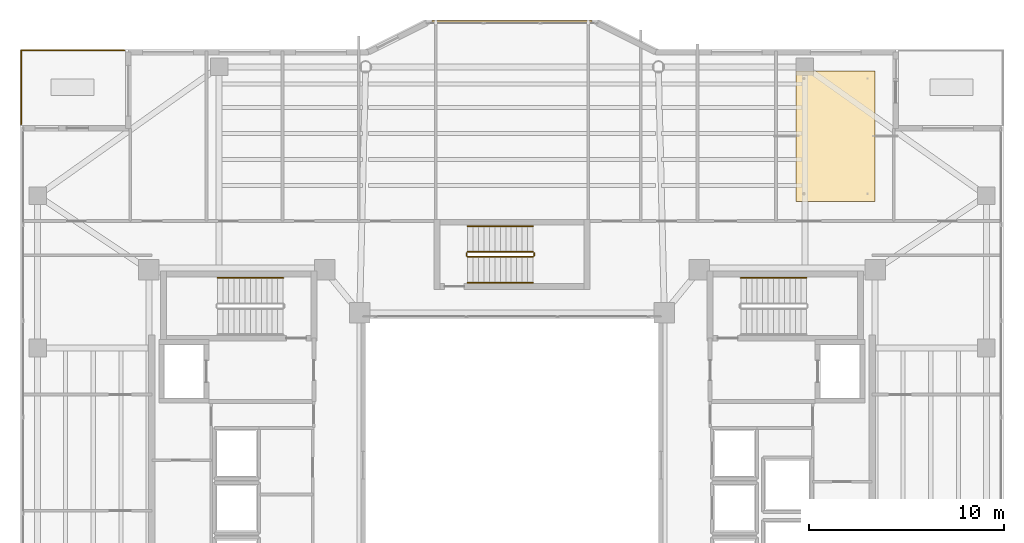
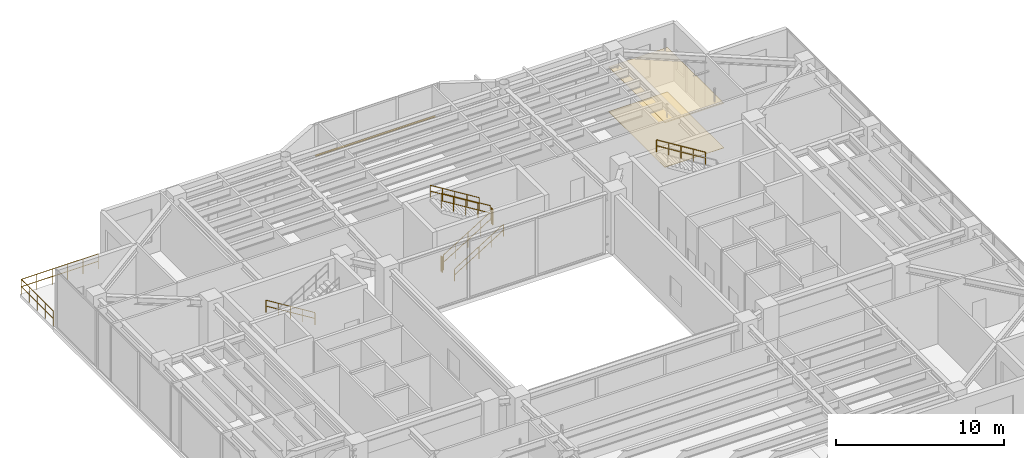
# One storey, part 32 of 33: 10 railings, 2 coverings, 1 shading device.
"""IFC4 building model written with IfcOpenShell, lengths in metres."""

from ifc_helpers import new_model, si_unit, direction, frame, origin, origin_2d, place, context, subcontext, project, spatial, polyline, rectangle, circle, outline, extrude, material, layer, layer_set, material_profile, profile_set, type_object, element, save


model = new_model("IFC4")

# Units and contexts
model_context = context("Model", 3, precision=1e-05, world=origin(), true_north=direction((0.0, 1.0)))
body_context = subcontext(model_context, "Body", "Model", "MODEL_VIEW")
ifc_project = project(units=[si_unit("LENGTHUNIT", "METRE"), si_unit("AREAUNIT", "SQUARE_METRE"), si_unit("VOLUMEUNIT", "CUBIC_METRE"), si_unit("PLANEANGLEUNIT", "RADIAN"), si_unit("MASSUNIT", "GRAM", prefix="KILO")], contexts=[model_context])

# Site, building, storey
site_placement = place(None, origin())
site = spatial("IfcSite", under=ifc_project, at=site_placement, CompositionType="ELEMENT")
building_placement = place(site_placement, origin())
building = spatial("IfcBuilding", under=site, at=building_placement, Name="Tarnavaz Court Tower", CompositionType="ELEMENT")
storey_placement = place(building_placement, frame((0.0, 0.0, 172.800048828125)))
storey = spatial("IfcBuildingStorey", under=building, at=storey_placement, Name="L47", CompositionType="ELEMENT", Elevation=172.800048828125)

# Coverings
ifc_material_1 = material(Name="Perforated Gypsum Acoustic Ceiling Tile", Category="masonry")
ifc_layer_1 = layer(ifc_material_1, 0.02490234375)
ifc_layer_set_1 = layer_set([ifc_layer_1], Name="Perforated Gypsum Acoustic Ceiling Tile")
covering_type_1 = type_object("IfcCoveringType", Name="CV-CEIL-AC", PredefinedType="CEILING", material=ifc_layer_set_1)
covering_1_placement = place(storey_placement, frame((0.0, 0.0, 3.22998046875)))
element("IfcCovering", 1, at=covering_1_placement, inside=storey, type_object=covering_type_1, Name="L47 L47 Fitness Studio Suspended Acoustic Ceiling", PredefinedType="CEILING", context=body_context, shape_type="SweptSolid", body=[
    extrude(outline(polyline([(14.550048828125, 13.5), (18.60009765625, 13.5), (18.60009765625, 20.199951171875), (14.550048828125, 20.199951171875), (14.550048828125, 13.5)])), origin(), (0.0, 0.0, 1.0), 0.02490234375),
])
ifc_material_2 = material(Name="Glazed Khorasan Porcelain Floor Tile", Category="masonry")
ifc_layer_2 = layer(ifc_material_2, 0.02001953125)
ifc_layer_set_2 = layer_set([ifc_layer_2], Name="Glazed Khorasan Porcelain Floor Tile")
covering_type_2 = type_object("IfcCoveringType", Name="CV-FLR-PORC", PredefinedType="FLOORING", material=ifc_layer_set_2)
covering_2_placement = place(storey_placement, origin())
element("IfcCovering", 2, at=covering_2_placement, inside=storey, type_object=covering_type_2, Name="L47 L47 Fitness Studio Porcelain Floor Finish", PredefinedType="FLOORING", context=body_context, shape_type="SweptSolid", body=[
    extrude(outline(polyline([(14.550048828125, 13.5), (18.60009765625, 13.5), (18.60009765625, 20.199951171875), (14.550048828125, 20.199951171875), (14.550048828125, 13.5)])), origin(), (0.0, 0.0, 1.0), 0.02001953125),
])

# Railings
ifc_material_3 = material(Name="Anodised Aluminium 6063-T6 and Laminated Safety Glass", Category="aluminium")
railing_type_1 = type_object("IfcRailingType", Name="RL-BAL-1120", PredefinedType="BALUSTRADE", material=ifc_material_3)
railing_1_placement = place(storey_placement, frame((-19.860107421875, 21.239990234375, 0.0)))
element("IfcRailing", 3, at=railing_1_placement, inside=storey, type_object=railing_type_1, Name="L47 Terrace 2 N Perimeter Balustrade", PredefinedType="BALUSTRADE", context=body_context, shape_type="SweptSolid", body=[
    extrude(circle(Radius=0.02392578125, at=origin_2d()), frame((0.0, 0.0, 1.09619140625), z_axis=(-1.0, 0.0, 0.0), x_axis=(0.0, -1.0, 0.0)), (0.0, 0.0, 1.0), 5.27978515625),
    extrude(circle(Radius=0.02392578125, at=origin_2d()), frame((0.0, 0.0, 0.56005859375), z_axis=(-1.0, 0.0, 0.0), x_axis=(0.0, -1.0, 0.0)), (0.0, 0.0, 1.0), 5.27978515625),
    extrude(circle(Radius=0.02099609375, at=origin_2d()), origin(), (0.0, 0.0, 1.0), 1.072021484375),
    extrude(circle(Radius=0.02099609375, at=origin_2d()), frame((-1.055908203125, 0.0, 0.0)), (0.0, 0.0, 1.0), 1.072021484375),
    extrude(circle(Radius=0.02099609375, at=origin_2d()), frame((-2.11181640625, 0.0, 0.0)), (0.0, 0.0, 1.0), 1.072021484375),
    extrude(circle(Radius=0.02099609375, at=origin_2d()), frame((-3.16796875, 0.0, 0.0)), (0.0, 0.0, 1.0), 1.072021484375),
    extrude(circle(Radius=0.02099609375, at=origin_2d()), frame((-4.223876953125, 0.0, 0.0)), (0.0, 0.0, 1.0), 1.072021484375),
    extrude(circle(Radius=0.02099609375, at=origin_2d()), frame((-5.27978515625, 0.0, 0.0)), (0.0, 0.0, 1.0), 1.072021484375),
])
railing_2_placement = place(storey_placement, frame((-25.139892578125, 21.239990234375, 0.0)))
element("IfcRailing", 4, at=railing_2_placement, inside=storey, type_object=railing_type_1, Name="L47 Terrace 2 W Perimeter Balustrade", PredefinedType="BALUSTRADE", context=body_context, shape_type="SweptSolid", body=[
    extrude(circle(Radius=0.02392578125, at=origin_2d()), frame((0.0, 0.0, 1.09619140625), z_axis=(0.0, -1.0, 0.0), x_axis=(1.0, 0.0, 0.0)), (0.0, 0.0, 1.0), 3.780029296875),
    extrude(circle(Radius=0.02392578125, at=origin_2d()), frame((0.0, 0.0, 0.56005859375), z_axis=(0.0, -1.0, 0.0), x_axis=(1.0, 0.0, 0.0)), (0.0, 0.0, 1.0), 3.780029296875),
    extrude(circle(Radius=0.02099609375, at=origin_2d()), origin(), (0.0, 0.0, 1.0), 1.072021484375),
    extrude(circle(Radius=0.02099609375, at=origin_2d()), frame((0.0, -0.945068359375, 0.0)), (0.0, 0.0, 1.0), 1.072021484375),
    extrude(circle(Radius=0.02099609375, at=origin_2d()), frame((0.0, -1.89013671875, 0.0)), (0.0, 0.0, 1.0), 1.072021484375),
    extrude(circle(Radius=0.02099609375, at=origin_2d()), frame((0.0, -2.8349609375, 0.0)), (0.0, 0.0, 1.0), 1.072021484375),
    extrude(circle(Radius=0.02099609375, at=origin_2d()), frame((0.0, -3.780029296875, 0.0)), (0.0, 0.0, 1.0), 1.072021484375),
])
ifc_material_4 = material(Name="Brushed Stainless Steel", Category="steel")
railing_type_2 = type_object("IfcRailingType", Name="RL-HANDRAIL-900", PredefinedType="HANDRAIL", material=ifc_material_4)
for number, where, name in (
    (5, (-11.719970703125, 9.590087890625, 0.173095703125), "L47 ST-W1 stair handrail 1"),
    (6, (15.080078125, 9.590087890625, 2.423095703125), "L47 ST-E1 stair handrail 2"),
):
    element("IfcRailing", number, at=place(storey_placement, frame(where)), inside=storey, type_object=railing_type_2, Name=name, PredefinedType="HANDRAIL", context=body_context, shape_type="SweptSolid", body=[
        extrude(circle(Radius=0.02392578125, at=origin_2d()), frame((0.0, 0.0, 0.8759765625), z_axis=(-0.850623216509, 0.0, 0.525775754039), x_axis=(0.0, -1.0, 0.0)), (0.0, 0.0, 1.0), 3.9501953125),
        extrude(circle(Radius=0.02392578125, at=origin_2d()), frame((0.0, 0.0, 0.449951171875), z_axis=(-0.850623216509, 0.0, 0.525775754039), x_axis=(0.0, -1.0, 0.0)), (0.0, 0.0, 1.0), 3.9501953125),
        extrude(circle(Radius=0.02099609375, at=origin_2d()), origin(), (0.0, 0.0, 1.0), 0.851806640625),
        extrude(circle(Radius=0.02099609375, at=origin_2d()), frame((-0.840087890625, 0.0, 0.519287109375)), (0.0, 0.0, 1.0), 0.851806640625),
        extrude(circle(Radius=0.02099609375, at=origin_2d()), frame((-1.68017578125, 0.0, 1.03857421875)), (0.0, 0.0, 1.0), 0.851806640625),
        extrude(circle(Radius=0.02099609375, at=origin_2d()), frame((-2.52001953125, 0.0, 1.5576171875)), (0.0, 0.0, 1.0), 0.851806640625),
        extrude(circle(Radius=0.02099609375, at=origin_2d()), frame((-3.360107421875, 0.0, 2.076904296875)), (0.0, 0.0, 1.0), 0.851806640625),
    ])
railing_3_placement = place(storey_placement, frame((-2.280029296875, 9.35009765625, 0.173095703125)))
element("IfcRailing", 7, at=railing_3_placement, inside=storey, type_object=railing_type_2, Name="L47 ST-N1 stair handrail 1", PredefinedType="HANDRAIL", context=body_context, shape_type="SweptSolid", body=[
    extrude(circle(Radius=0.02392578125, at=origin_2d()), frame((0.0, 0.0, 0.8759765625), z_axis=(0.850623216509, 0.0, 0.525775754039), x_axis=(0.0, 1.0, 0.0)), (0.0, 0.0, 1.0), 3.9501953125),
    extrude(circle(Radius=0.02392578125, at=origin_2d()), frame((0.0, 0.0, 0.449951171875), z_axis=(0.850623216509, 0.0, 0.525775754039), x_axis=(0.0, 1.0, 0.0)), (0.0, 0.0, 1.0), 3.9501953125),
    extrude(circle(Radius=0.02099609375, at=origin_2d()), origin(), (0.0, 0.0, 1.0), 0.851806640625),
    extrude(circle(Radius=0.02099609375, at=origin_2d()), frame((0.840087890625, 0.0, 0.519287109375)), (0.0, 0.0, 1.0), 0.851806640625),
    extrude(circle(Radius=0.02099609375, at=origin_2d()), frame((1.68017578125, 0.0, 1.03857421875)), (0.0, 0.0, 1.0), 0.851806640625),
    extrude(circle(Radius=0.02099609375, at=origin_2d()), frame((2.52001953125, 0.0, 1.5576171875)), (0.0, 0.0, 1.0), 0.851806640625),
    extrude(circle(Radius=0.02099609375, at=origin_2d()), frame((3.360107421875, 0.0, 2.076904296875)), (0.0, 0.0, 1.0), 0.851806640625),
])
railing_4_placement = place(storey_placement, frame((1.080078125, 12.239990234375, 2.423095703125)))
element("IfcRailing", 8, at=railing_4_placement, inside=storey, type_object=railing_type_2, Name="L47 ST-N1 stair handrail 2", PredefinedType="HANDRAIL", context=body_context, shape_type="SweptSolid", body=[
    extrude(circle(Radius=0.02392578125, at=origin_2d()), frame((0.0, 0.0, 0.8759765625), z_axis=(-0.850623216509, 0.0, 0.525775754039), x_axis=(0.0, -1.0, 0.0)), (0.0, 0.0, 1.0), 3.9501953125),
    extrude(circle(Radius=0.02392578125, at=origin_2d()), frame((0.0, 0.0, 0.449951171875), z_axis=(-0.850623216509, 0.0, 0.525775754039), x_axis=(0.0, -1.0, 0.0)), (0.0, 0.0, 1.0), 3.9501953125),
    extrude(circle(Radius=0.02099609375, at=origin_2d()), origin(), (0.0, 0.0, 1.0), 0.851806640625),
    extrude(circle(Radius=0.02099609375, at=origin_2d()), frame((-0.840087890625, 0.0, 0.519287109375)), (0.0, 0.0, 1.0), 0.851806640625),
    extrude(circle(Radius=0.02099609375, at=origin_2d()), frame((-1.68017578125, 0.0, 1.03857421875)), (0.0, 0.0, 1.0), 0.851806640625),
    extrude(circle(Radius=0.02099609375, at=origin_2d()), frame((-2.52001953125, 0.0, 1.5576171875)), (0.0, 0.0, 1.0), 0.851806640625),
    extrude(circle(Radius=0.02099609375, at=origin_2d()), frame((-3.360107421875, 0.0, 2.076904296875)), (0.0, 0.0, 1.0), 0.851806640625),
])
ifc_material_5 = material(Name="Galvanized Painted Tubular Steel", Category="steel")
railing_type_3 = type_object("IfcRailingType", Name="RL-STGUARD-1120", PredefinedType="GUARDRAIL", material=ifc_material_5)
railing_5_placement = place(storey_placement, frame((-2.280029296875, 10.669921875, 0.173095703125)))
element("IfcRailing", 9, at=railing_5_placement, inside=storey, type_object=railing_type_3, Name="L47 ST-N1 stair guard 1", PredefinedType="GUARDRAIL", context=body_context, shape_type="SweptSolid", body=[
    extrude(circle(Radius=0.02392578125, at=origin_2d()), frame((0.0, 0.0, 1.09619140625), z_axis=(0.850623216509, 0.0, 0.525775754039), x_axis=(0.0, 1.0, 0.0)), (0.0, 0.0, 1.0), 3.9501953125),
    extrude(circle(Radius=0.02392578125, at=origin_2d()), frame((0.0, 0.0, 0.56005859375), z_axis=(0.850623216509, 0.0, 0.525775754039), x_axis=(0.0, 1.0, 0.0)), (0.0, 0.0, 1.0), 3.9501953125),
    extrude(circle(Radius=0.02099609375, at=origin_2d()), origin(), (0.0, 0.0, 1.0), 1.072021484375),
    extrude(circle(Radius=0.02099609375, at=origin_2d()), frame((0.840087890625, 0.0, 0.519287109375)), (0.0, 0.0, 1.0), 1.072021484375),
    extrude(circle(Radius=0.02099609375, at=origin_2d()), frame((1.68017578125, 0.0, 1.03857421875)), (0.0, 0.0, 1.0), 1.072021484375),
    extrude(circle(Radius=0.02099609375, at=origin_2d()), frame((2.52001953125, 0.0, 1.5576171875)), (0.0, 0.0, 1.0), 1.072021484375),
    extrude(circle(Radius=0.02099609375, at=origin_2d()), frame((3.360107421875, 0.0, 2.076904296875)), (0.0, 0.0, 1.0), 1.072021484375),
])
railing_6_placement = place(storey_placement, frame((1.1298828125, 10.719970703125, 2.25)))
element("IfcRailing", 10, at=railing_6_placement, inside=storey, type_object=railing_type_3, Name="L47 ST-N1 stair guard 2", PredefinedType="GUARDRAIL", context=body_context, shape_type="SweptSolid", body=[
    extrude(circle(Radius=0.02392578125, at=origin_2d()), frame((0.0, 0.0, 1.09619140625), z_axis=(0.0, 1.0, 0.0), x_axis=(-1.0, 0.0, 0.0)), (0.0, 0.0, 1.0), 0.150146484375),
    extrude(circle(Radius=0.02392578125, at=origin_2d()), frame((0.0, 0.0, 0.56005859375), z_axis=(0.0, 1.0, 0.0), x_axis=(-1.0, 0.0, 0.0)), (0.0, 0.0, 1.0), 0.150146484375),
    extrude(circle(Radius=0.02099609375, at=origin_2d()), origin(), (0.0, 0.0, 1.0), 1.072021484375),
    extrude(circle(Radius=0.02099609375, at=origin_2d()), frame((0.0, 0.150146484375, 0.0)), (0.0, 0.0, 1.0), 1.072021484375),
])
railing_7_placement = place(storey_placement, frame((1.080078125, 10.919921875, 2.423095703125)))
element("IfcRailing", 11, at=railing_7_placement, inside=storey, type_object=railing_type_3, Name="L47 ST-N1 stair guard 3", PredefinedType="GUARDRAIL", context=body_context, shape_type="SweptSolid", body=[
    extrude(circle(Radius=0.02392578125, at=origin_2d()), frame((0.0, 0.0, 1.09619140625), z_axis=(-0.850623216509, 0.0, 0.525775754039), x_axis=(0.0, -1.0, 0.0)), (0.0, 0.0, 1.0), 3.9501953125),
    extrude(circle(Radius=0.02392578125, at=origin_2d()), frame((0.0, 0.0, 0.56005859375), z_axis=(-0.850623216509, 0.0, 0.525775754039), x_axis=(0.0, -1.0, 0.0)), (0.0, 0.0, 1.0), 3.9501953125),
    extrude(circle(Radius=0.02099609375, at=origin_2d()), origin(), (0.0, 0.0, 1.0), 1.072021484375),
    extrude(circle(Radius=0.02099609375, at=origin_2d()), frame((-0.840087890625, 0.0, 0.519287109375)), (0.0, 0.0, 1.0), 1.072021484375),
    extrude(circle(Radius=0.02099609375, at=origin_2d()), frame((-1.68017578125, 0.0, 1.03857421875)), (0.0, 0.0, 1.0), 1.072021484375),
    extrude(circle(Radius=0.02099609375, at=origin_2d()), frame((-2.52001953125, 0.0, 1.5576171875)), (0.0, 0.0, 1.0), 1.072021484375),
    extrude(circle(Radius=0.02099609375, at=origin_2d()), frame((-3.360107421875, 0.0, 2.076904296875)), (0.0, 0.0, 1.0), 1.072021484375),
])
railing_8_placement = place(storey_placement, frame((-2.330078125, 10.719970703125, 0.0)))
element("IfcRailing", 12, at=railing_8_placement, inside=storey, type_object=railing_type_3, Name="L47 ST-N1 stair guard 4", PredefinedType="GUARDRAIL", context=body_context, shape_type="SweptSolid", body=[
    extrude(circle(Radius=0.02392578125, at=origin_2d()), frame((0.0, 0.0, 1.09619140625), z_axis=(0.0, 1.0, 0.0), x_axis=(-1.0, 0.0, 0.0)), (0.0, 0.0, 1.0), 0.150146484375),
    extrude(circle(Radius=0.02392578125, at=origin_2d()), frame((0.0, 0.0, 0.56005859375), z_axis=(0.0, 1.0, 0.0), x_axis=(-1.0, 0.0, 0.0)), (0.0, 0.0, 1.0), 0.150146484375),
    extrude(circle(Radius=0.02099609375, at=origin_2d()), origin(), (0.0, 0.0, 1.0), 1.072021484375),
    extrude(circle(Radius=0.02099609375, at=origin_2d()), frame((0.0, 0.150146484375, 0.0)), (0.0, 0.0, 1.0), 1.072021484375),
])

# Shading device
ifc_material_6 = material(Name="Kiln-Fired Khorasan Terracotta Ceramic", Category="masonry")
ifc_material_profile = material_profile(ifc_material_6, rectangle(XDim=0.1201171875, YDim=0.06005859375, at=origin_2d()), Name="TC BAGUETTE 120X60")
ifc_profile_set = profile_set([ifc_material_profile], Name="Kiln-Fired Khorasan Terracotta Ceramic")
shading_device_type = type_object("IfcShadingDeviceType", Name="SD-BAG-120", PredefinedType="USERDEFINED", material=ifc_profile_set)
shading_device_placement = place(storey_placement, frame((-4.10009765625, 22.7099609375, 1.800048828125), z_axis=(1.0, 0.0, 0.0), x_axis=(0.0, 1.0, 0.0)))
element("IfcShadingDevice", 13, at=shading_device_placement, inside=storey, type_object=shading_device_type, Name="L47 Terracotta Baguette Screen PBG7", ObjectType="BAGUETTE", PredefinedType="USERDEFINED", context=body_context, shape_type="SweptSolid", body=[
    extrude(rectangle(XDim=0.1201171875, YDim=0.06005859375, at=origin_2d()), origin(), (0.0, 0.0, 1.0), 8.2001953125),
])

save(model, "model.ifc")
